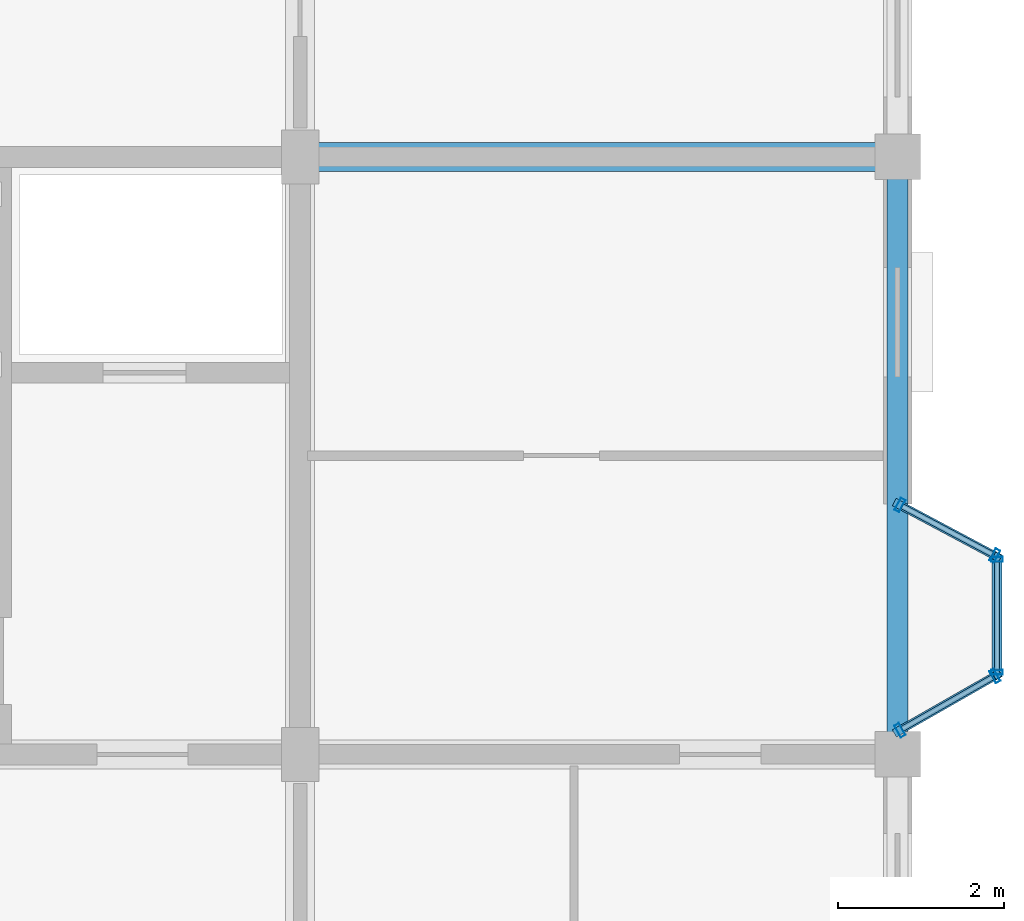
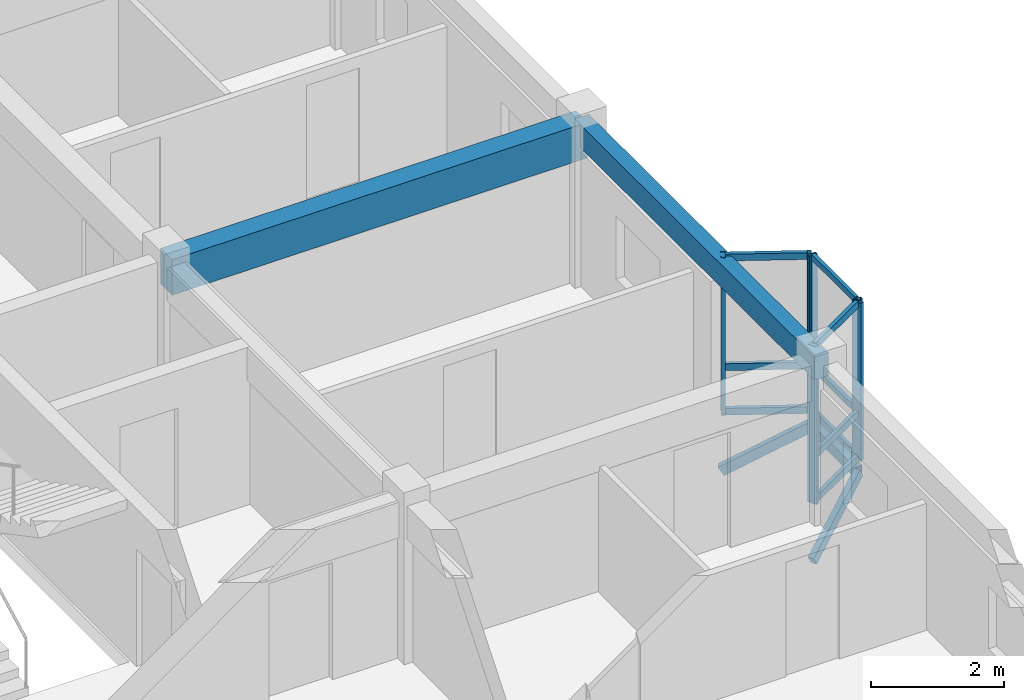
# One storey, part 30 of 77: 18 members, 2 beams, 3 elements without a shape of their own.
"""IFC4 building model written with IfcOpenShell, lengths in metres."""

from ifc_helpers import new_model, si_unit, direction, frame, origin, origin_2d, place, context, subcontext, project, spatial, rectangle, hollow_rectangle, extrude, material, layer, layer_set, material_profile, profile_set, type_object, element, aggregate, save


model = new_model("IFC4")

# Units and contexts
model_context = context("Model", 3, precision=1e-05, world=origin(), true_north=direction((0.0, 1.0)))
body_context = subcontext(model_context, "Body", "Model", "MODEL_VIEW")
ifc_project = project(units=[si_unit("LENGTHUNIT", "METRE"), si_unit("AREAUNIT", "SQUARE_METRE"), si_unit("VOLUMEUNIT", "CUBIC_METRE"), si_unit("PLANEANGLEUNIT", "RADIAN"), si_unit("MASSUNIT", "GRAM", prefix="KILO"), si_unit("THERMODYNAMICTEMPERATUREUNIT", "KELVIN"), si_unit("POWERUNIT", "WATT")], contexts=[model_context])

# Site, building, storey
site_placement = place(None, origin())
site = spatial("IfcSite", under=ifc_project, at=site_placement, CompositionType="ELEMENT")
building_placement = place(site_placement, origin())
building = spatial("IfcBuilding", under=site, at=building_placement, Name="Tavuni Mirador Residences", CompositionType="ELEMENT")
storey_placement = place(building_placement, frame((0.0, 0.0, 17.10009765625)))
storey = spatial("IfcBuildingStorey", under=building, at=storey_placement, Name="L05", CompositionType="ELEMENT", Elevation=17.10009765625)

# Beams
ifc_material_1 = material(Name="Precast concrete C40/50", Category="concrete")
ifc_material_profile_1 = material_profile(ifc_material_1, rectangle(XDim=0.35009765625, YDim=0.64990234375, at=origin_2d()), Name="PC 350x650", Category="concrete")
ifc_profile_set_1 = profile_set([ifc_material_profile_1], Name="Precast concrete C40/50")
beam_type_1 = type_object("IfcBeamType", Name="BT-B650", PredefinedType="BEAM", material=ifc_profile_set_1)
beam_1_placement = place(storey_placement, frame((111.60009765625, 115.199951171875, 2.56494140625), z_axis=(1.0, 0.0, 0.0), x_axis=(0.0, 1.0, 0.0)))
element("IfcBeam", 1, at=beam_1_placement, inside=storey, type_object=beam_type_1, Name="BMX-BLK-D-L05-03-04", PredefinedType="BEAM", context=body_context, shape_type="SweptSolid", body=[
    extrude(rectangle(XDim=0.35009765625, YDim=0.64990234375, at=origin_2d()), origin(), (0.0, 0.0, 1.0), 7.199951171875),
])
ifc_material_profile_2 = material_profile(ifc_material_1, rectangle(XDim=0.25, YDim=0.419921875, at=origin_2d()), Name="PC 250x420", Category="concrete")
ifc_profile_set_2 = profile_set([ifc_material_profile_2], Name="Precast concrete C40/50")
beam_type_2 = type_object("IfcBeamType", Name="BT-SP420", PredefinedType="SPANDREL", material=ifc_profile_set_2)
beam_2_placement = place(storey_placement, frame((118.800048828125, 108.0, 2.679931640625), z_axis=(0.0, 1.0, 0.0), x_axis=(-1.0, 0.0, 0.0)))
element("IfcBeam", 2, at=beam_2_placement, inside=storey, type_object=beam_type_2, Name="BMY-BLK-D-L05-04-03", PredefinedType="SPANDREL", context=body_context, shape_type="SweptSolid", body=[
    extrude(rectangle(XDim=0.25, YDim=0.419921875, at=origin_2d()), origin(), (0.0, 0.0, 1.0), 7.199951171875),
])

# Curtain wall, members
ifc_material_2 = material(Name="Anodised aluminium", Category="aluminium")
ifc_layer_1 = layer(ifc_material_2, 0.175048828125, Name="Anodised aluminium", Category="aluminium")
ifc_layer_set_1 = layer_set([ifc_layer_1], Name="Anodised aluminium")
curtain_wall_type_1 = type_object("IfcCurtainWallType", Name="CWT-MIR-C", PredefinedType="NOTDEFINED", material=ifc_layer_set_1)
curtain_wall_1_placement = place(storey_placement, origin())
curtain_wall_1 = element("IfcCurtainWall", 3, at=curtain_wall_1_placement, inside=storey, type_object=curtain_wall_type_1, Name="CW-MIR-D-E2-L05-MF", PredefinedType="NOTDEFINED")
ifc_material_profile_3 = material_profile(ifc_material_2, hollow_rectangle(XDim=0.06005859375, YDim=0.139892578125, WallThickness=0.00390625, at=origin_2d()), Name="ALU 60x140x4.0", Category="aluminium")
ifc_profile_set_3 = profile_set([ifc_material_profile_3], Name="Anodised aluminium")
member_type_1 = type_object("IfcMemberType", Name="CWM-140", PredefinedType="MULLION", material=ifc_profile_set_3)
member_1_placement = place(storey_placement, frame((120.0, 108.989990234375, 0.0), z_axis=(0.0, 0.0, 1.0), x_axis=(0.0, 1.0, 0.0)))
member_1 = element("IfcMember", 4, at=member_1_placement, type_object=member_type_1, Name="CW-03 mullion 1", PredefinedType="MULLION", context=body_context, shape_type="SweptSolid", body=[
    extrude(hollow_rectangle(XDim=0.06005859375, YDim=0.139892578125, WallThickness=0.00390625, at=origin_2d()), origin(), (0.0, 0.0, 1.0), 2.889892578125),
])
member_2_placement = place(storey_placement, frame((120.0, 110.35009765625, 0.0), z_axis=(0.0, 0.0, 1.0), x_axis=(0.0, 1.0, 0.0)))
member_2 = element("IfcMember", 5, at=member_2_placement, type_object=member_type_1, Name="CW-03 mullion 2", PredefinedType="MULLION", context=body_context, shape_type="SweptSolid", body=[
    extrude(hollow_rectangle(XDim=0.06005859375, YDim=0.139892578125, WallThickness=0.00390625, at=origin_2d()), origin(), (0.0, 0.0, 1.0), 2.889892578125),
])

ifc_layer_2 = layer(ifc_material_2, 0.14990234375, Name="Anodised aluminium", Category="aluminium")
ifc_layer_set_2 = layer_set([ifc_layer_2], Name="Anodised aluminium")
curtain_wall_type_2 = type_object("IfcCurtainWallType", Name="CWT-MIR-B", PredefinedType="NOTDEFINED", material=ifc_layer_set_2)
curtain_wall_2_placement = place(storey_placement, origin())
curtain_wall_2 = element("IfcCurtainWall", 6, at=curtain_wall_2_placement, inside=storey, type_object=curtain_wall_type_2, Name="CW-MIR-D-E2-L05-M1", PredefinedType="NOTDEFINED")
ifc_material_profile_4 = material_profile(ifc_material_2, hollow_rectangle(XDim=0.06494140625, YDim=0.1650390625, WallThickness=0.00439453125, at=origin_2d()), Name="ALU 65x165x4.5", Category="aluminium")
ifc_profile_set_4 = profile_set([ifc_material_profile_4], Name="Anodised aluminium")
member_type_2 = type_object("IfcMemberType", Name="CWM-165", PredefinedType="MULLION", material=ifc_profile_set_4)
member_3_placement = place(storey_placement, frame((118.828125, 108.291015625, 0.0), z_axis=(0.0, 0.0, 1.0), x_axis=(0.868465738194, 0.495749192217, 0.0)))
member_3 = element("IfcMember", 7, at=member_3_placement, type_object=member_type_2, Name="CW-02 mullion 1", PredefinedType="MULLION", context=body_context, shape_type="SweptSolid", body=[
    extrude(hollow_rectangle(XDim=0.06494140625, YDim=0.1650390625, WallThickness=0.00439453125, at=origin_2d()), origin(), (0.0, 0.0, 1.0), 2.889892578125),
])
member_4_placement = place(storey_placement, frame((119.9716796875, 108.94384765625, 0.0), z_axis=(0.0, 0.0, 1.0), x_axis=(0.868465738194, 0.495749192217, 0.0)))
member_4 = element("IfcMember", 8, at=member_4_placement, type_object=member_type_2, Name="CW-02 mullion 2", PredefinedType="MULLION", context=body_context, shape_type="SweptSolid", body=[
    extrude(hollow_rectangle(XDim=0.06494140625, YDim=0.1650390625, WallThickness=0.00439453125, at=origin_2d()), origin(), (0.0, 0.0, 1.0), 2.889892578125),
])

ifc_layer_3 = layer(ifc_material_2, 0.159912109375, Name="Anodised aluminium", Category="aluminium")
ifc_layer_set_3 = layer_set([ifc_layer_3], Name="Anodised aluminium")
curtain_wall_type_3 = type_object("IfcCurtainWallType", Name="CWT-MIR-D", PredefinedType="NOTDEFINED", material=ifc_layer_set_3)
curtain_wall_3_placement = place(storey_placement, origin())
curtain_wall_3 = element("IfcCurtainWall", 9, at=curtain_wall_3_placement, inside=storey, type_object=curtain_wall_type_3, Name="CW-MIR-D-E2-L05-M2", PredefinedType="NOTDEFINED")
member_5_placement = place(storey_placement, frame((119.971435546875, 110.395263671875, 0.0), z_axis=(0.0, 0.0, 1.0), x_axis=(-0.882352941175, 0.470588235296, 0.0)))
member_5 = element("IfcMember", 10, at=member_5_placement, type_object=member_type_2, Name="CW-04 mullion 1", PredefinedType="MULLION", context=body_context, shape_type="SweptSolid", body=[
    extrude(hollow_rectangle(XDim=0.06494140625, YDim=0.1650390625, WallThickness=0.00439453125, at=origin_2d()), origin(), (0.0, 0.0, 1.0), 2.889892578125),
])
member_6_placement = place(storey_placement, frame((118.82861328125, 111.004638671875, 0.0), z_axis=(0.0, 0.0, 1.0), x_axis=(-0.882352941175, 0.470588235296, 0.0)))
member_6 = element("IfcMember", 11, at=member_6_placement, type_object=member_type_2, Name="CW-04 mullion 2", PredefinedType="MULLION", context=body_context, shape_type="SweptSolid", body=[
    extrude(hollow_rectangle(XDim=0.06494140625, YDim=0.1650390625, WallThickness=0.00439453125, at=origin_2d()), origin(), (0.0, 0.0, 1.0), 2.889892578125),
])

# Member
ifc_material_profile_5 = material_profile(ifc_material_2, hollow_rectangle(XDim=0.06005859375, YDim=0.110107421875, WallThickness=0.00390625, at=origin_2d()), Name="ALU 60x110x4.0", Category="aluminium")
ifc_profile_set_5 = profile_set([ifc_material_profile_5], Name="Anodised aluminium")
member_type_3 = type_object("IfcMemberType", Name="CWT-110", PredefinedType="USERDEFINED", material=ifc_profile_set_5)
member_7_placement = place(storey_placement, frame((120.0, 109.02001953125, 0.02978515625), z_axis=(0.0, 1.0, 0.0), x_axis=(-1.0, 0.0, 0.0)))
member_7 = element("IfcMember", 12, at=member_7_placement, type_object=member_type_3, Name="CW-03 transom 1.1", ObjectType="TRANSOM", PredefinedType="USERDEFINED", context=body_context, shape_type="SweptSolid", body=[
    extrude(hollow_rectangle(XDim=0.06005859375, YDim=0.110107421875, WallThickness=0.00390625, at=origin_2d()), origin(), (0.0, 0.0, 1.0), 1.300048828125),
])

member_8_placement = place(storey_placement, frame((120.0, 109.02001953125, 0.849853515625), z_axis=(0.0, 1.0, 0.0), x_axis=(-1.0, 0.0, 0.0)))
member_8 = element("IfcMember", 13, at=member_8_placement, type_object=member_type_3, Name="CW-03 transom 1.2", ObjectType="TRANSOM", PredefinedType="USERDEFINED", context=body_context, shape_type="SweptSolid", body=[
    extrude(hollow_rectangle(XDim=0.06005859375, YDim=0.110107421875, WallThickness=0.00390625, at=origin_2d()), origin(), (0.0, 0.0, 1.0), 1.300048828125),
])

member_9_placement = place(storey_placement, frame((120.0, 109.02001953125, 2.85986328125), z_axis=(0.0, 1.0, 0.0), x_axis=(-1.0, 0.0, 0.0)))
member_9 = element("IfcMember", 14, at=member_9_placement, type_object=member_type_3, Name="CW-03 transom 1.3", ObjectType="TRANSOM", PredefinedType="USERDEFINED", context=body_context, shape_type="SweptSolid", body=[
    extrude(hollow_rectangle(XDim=0.06005859375, YDim=0.110107421875, WallThickness=0.00390625, at=origin_2d()), origin(), (0.0, 0.0, 1.0), 1.300048828125),
])

aggregate(curtain_wall_1, [member_1, member_2, member_7, member_8, member_9])

ifc_material_profile_6 = material_profile(ifc_material_2, hollow_rectangle(XDim=0.06494140625, YDim=0.125, WallThickness=0.00439453125, at=origin_2d()), Name="ALU 65x125x4.5", Category="aluminium")
ifc_profile_set_6 = profile_set([ifc_material_profile_6], Name="Anodised aluminium")
member_type_4 = type_object("IfcMemberType", Name="CWT-125", PredefinedType="USERDEFINED", material=ifc_profile_set_6)
member_10_placement = place(storey_placement, frame((118.8564453125, 108.30712890625, 0.032470703125), z_axis=(0.868459090685, 0.495760837306, 0.0), x_axis=(-0.495760837306, 0.868459090685, 0.0)))
member_10 = element("IfcMember", 15, at=member_10_placement, type_object=member_type_4, Name="CW-02 transom 1.1", ObjectType="TRANSOM", PredefinedType="USERDEFINED", context=body_context, shape_type="SweptSolid", body=[
    extrude(hollow_rectangle(XDim=0.06494140625, YDim=0.125, WallThickness=0.00439453125, at=origin_2d()), origin(), (0.0, 0.0, 1.0), 1.251708984375),
])

member_11_placement = place(storey_placement, frame((118.8564453125, 108.30712890625, 0.849853515625), z_axis=(0.868459090685, 0.495760837306, 0.0), x_axis=(-0.495760837306, 0.868459090685, 0.0)))
member_11 = element("IfcMember", 16, at=member_11_placement, type_object=member_type_4, Name="CW-02 transom 1.2", ObjectType="TRANSOM", PredefinedType="USERDEFINED", context=body_context, shape_type="SweptSolid", body=[
    extrude(hollow_rectangle(XDim=0.06494140625, YDim=0.125, WallThickness=0.00439453125, at=origin_2d()), origin(), (0.0, 0.0, 1.0), 1.251708984375),
])

member_12_placement = place(storey_placement, frame((118.8564453125, 108.30712890625, 2.857421875), z_axis=(0.868459090685, 0.495760837306, 0.0), x_axis=(-0.495760837306, 0.868459090685, 0.0)))
member_12 = element("IfcMember", 17, at=member_12_placement, type_object=member_type_4, Name="CW-02 transom 1.3", ObjectType="TRANSOM", PredefinedType="USERDEFINED", context=body_context, shape_type="SweptSolid", body=[
    extrude(hollow_rectangle(XDim=0.06494140625, YDim=0.125, WallThickness=0.00439453125, at=origin_2d()), origin(), (0.0, 0.0, 1.0), 1.251708984375),
])

aggregate(curtain_wall_2, [member_3, member_4, member_10, member_11, member_12])

member_13_placement = place(storey_placement, frame((119.942626953125, 110.41064453125, 0.032470703125), z_axis=(-0.882325465843, 0.470639747922, 0.0), x_axis=(-0.470639747922, -0.882325465843, 0.0)))
member_13 = element("IfcMember", 18, at=member_13_placement, type_object=member_type_4, Name="CW-04 transom 1.1", ObjectType="TRANSOM", PredefinedType="USERDEFINED", context=body_context, shape_type="SweptSolid", body=[
    extrude(hollow_rectangle(XDim=0.06494140625, YDim=0.125, WallThickness=0.00439453125, at=origin_2d()), origin(), (0.0, 0.0, 1.0), 1.22998046875),
])

member_14_placement = place(storey_placement, frame((119.942626953125, 110.41064453125, 0.849853515625), z_axis=(-0.882325465843, 0.470639747922, 0.0), x_axis=(-0.470639747922, -0.882325465843, 0.0)))
member_14 = element("IfcMember", 19, at=member_14_placement, type_object=member_type_4, Name="CW-04 transom 1.2", ObjectType="TRANSOM", PredefinedType="USERDEFINED", context=body_context, shape_type="SweptSolid", body=[
    extrude(hollow_rectangle(XDim=0.06494140625, YDim=0.125, WallThickness=0.00439453125, at=origin_2d()), origin(), (0.0, 0.0, 1.0), 1.22998046875),
])

member_15_placement = place(storey_placement, frame((119.942626953125, 110.41064453125, 2.857421875), z_axis=(-0.882325465843, 0.470639747922, 0.0), x_axis=(-0.470639747922, -0.882325465843, 0.0)))
member_15 = element("IfcMember", 20, at=member_15_placement, type_object=member_type_4, Name="CW-04 transom 1.3", ObjectType="TRANSOM", PredefinedType="USERDEFINED", context=body_context, shape_type="SweptSolid", body=[
    extrude(hollow_rectangle(XDim=0.06494140625, YDim=0.125, WallThickness=0.00439453125, at=origin_2d()), origin(), (0.0, 0.0, 1.0), 1.22998046875),
])

aggregate(curtain_wall_3, [member_5, member_6, member_13, member_14, member_15])

# Members
ifc_material_3 = material(Name="Structural steel S355", Category="steel")
ifc_material_profile_7 = material_profile(ifc_material_3, hollow_rectangle(XDim=0.10009765625, YDim=0.179931640625, WallThickness=0.008056640625, at=origin_2d()), Name="RHS 180x100x8.0", Category="steel")
ifc_profile_set_7 = profile_set([ifc_material_profile_7], Name="Structural steel S355")
member_type_5 = type_object("IfcMemberType", Name="MT-BR-RHS180", PredefinedType="BRACE", material=ifc_profile_set_7)
member_16_placement = place(storey_placement, frame((118.800048828125, 108.27490234375, -1.050048828125), z_axis=(0.753903905175, 0.430407804256, 0.496364809185), x_axis=(-0.495796390047, 0.868438794398, 0.0)))
element("IfcMember", 21, at=member_16_placement, inside=storey, type_object=member_type_5, Name="MBRK-MIR-D-E2-L05-1", PredefinedType="BRACE", context=body_context, shape_type="SweptSolid", body=[
    extrude(hollow_rectangle(XDim=0.10009765625, YDim=0.179931640625, WallThickness=0.008056640625, at=origin_2d()), origin(), (0.0, 0.0, 1.0), 1.591552734375),
])
member_17_placement = place(storey_placement, frame((118.800048828125, 111.02001953125, -1.050048828125), z_axis=(0.762920992699, -0.406994678099, 0.502301593565), x_axis=(0.470681405175, 0.882303244255, 0.0)))
element("IfcMember", 22, at=member_17_placement, inside=storey, type_object=member_type_5, Name="MBRK-MIR-D-E2-L05-2", PredefinedType="BRACE", context=body_context, shape_type="SweptSolid", body=[
    extrude(hollow_rectangle(XDim=0.10009765625, YDim=0.179931640625, WallThickness=0.008056640625, at=origin_2d()), origin(), (0.0, 0.0, 1.0), 1.57275390625),
])
ifc_material_profile_8 = material_profile(ifc_material_3, hollow_rectangle(XDim=0.1201171875, YDim=0.199951171875, WallThickness=0.010009765625, at=origin_2d()), Name="RHS 200x120x10.0", Category="steel")
ifc_profile_set_8 = profile_set([ifc_material_profile_8], Name="Structural steel S355")
member_type_6 = type_object("IfcMemberType", Name="MT-ST-RHS200", PredefinedType="STRUT", material=ifc_profile_set_8)
member_18_placement = place(storey_placement, frame((120.0, 108.9599609375, -0.260009765625), z_axis=(0.0, 1.0, 0.0), x_axis=(-1.0, 0.0, 0.0)))
element("IfcMember", 23, at=member_18_placement, inside=storey, type_object=member_type_6, Name="MRIM-MIR-D-E2-L05", PredefinedType="STRUT", context=body_context, shape_type="SweptSolid", body=[
    extrude(hollow_rectangle(XDim=0.1201171875, YDim=0.199951171875, WallThickness=0.010009765625, at=origin_2d()), origin(), (0.0, 0.0, 1.0), 1.419921875),
])

save(model, "model.ifc")
